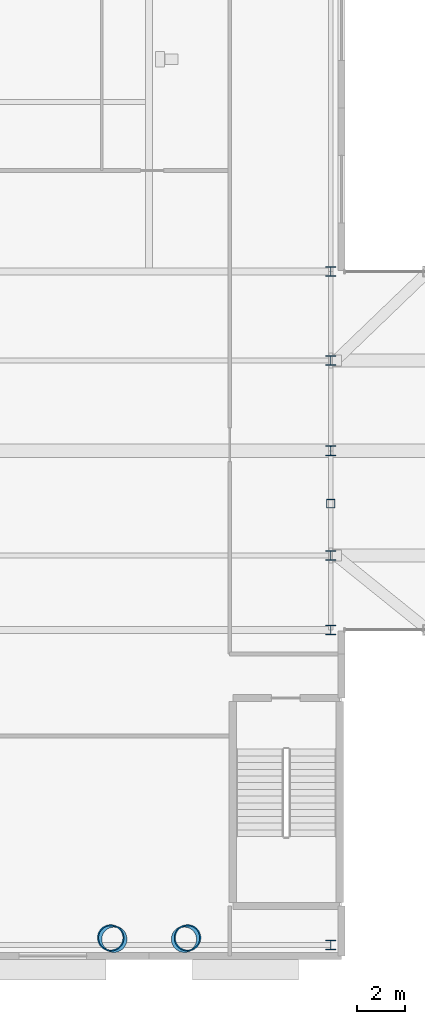
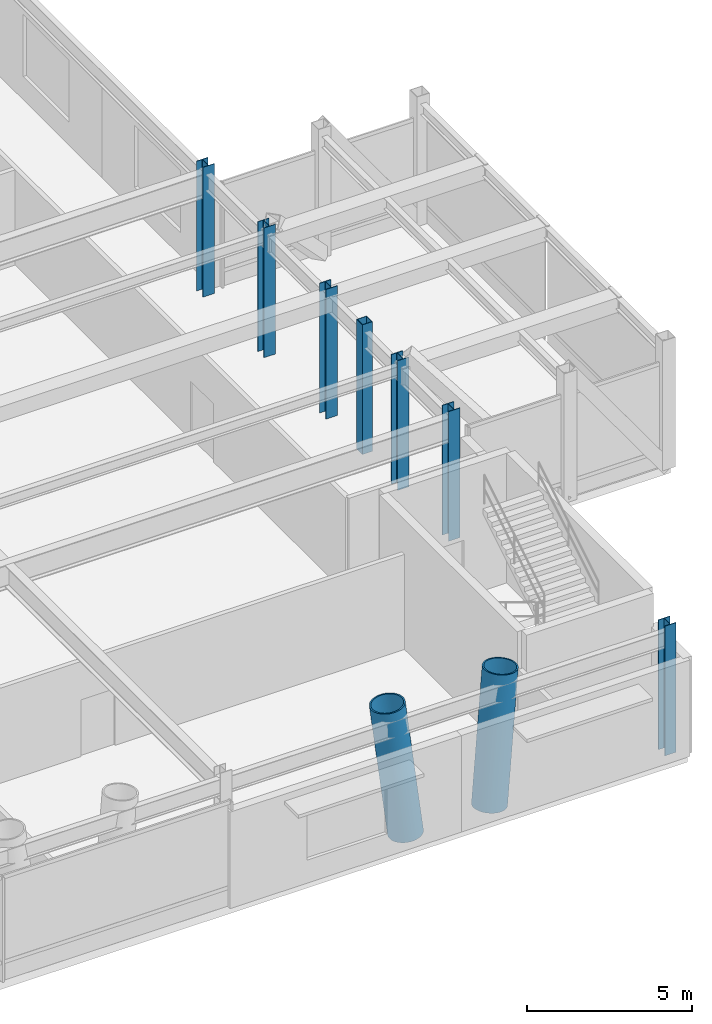
# One storey, part 2 of 26: 9 columns.
"""IFC4 building model written with IfcOpenShell, lengths in metres."""

from ifc_helpers import new_model, si_unit, direction, frame, origin, origin_2d, place, context, subcontext, project, spatial, hollow_rectangle, hollow_circle, i_section, extrude, material, material_profile, profile_set, type_object, element, save


model = new_model("IFC4")

# Units and contexts
model_context = context("Model", 3, precision=1e-05, world=origin(), true_north=direction((0.0, 1.0)))
body_context = subcontext(model_context, "Body", "Model", "MODEL_VIEW")
ifc_project = project(units=[si_unit("LENGTHUNIT", "METRE"), si_unit("AREAUNIT", "SQUARE_METRE"), si_unit("VOLUMEUNIT", "CUBIC_METRE"), si_unit("PLANEANGLEUNIT", "RADIAN"), si_unit("MASSUNIT", "GRAM", prefix="KILO")], contexts=[model_context])

# Site, building, storey
site_placement = place(None, origin())
site = spatial("IfcSite", under=ifc_project, at=site_placement, CompositionType="ELEMENT")
building_placement = place(site_placement, origin())
building = spatial("IfcBuilding", under=site, at=building_placement, Name="Veldorina Hangang Commons", CompositionType="ELEMENT")
storey_placement = place(building_placement, frame((0.0, 0.0, 5.199951171875)))
storey = spatial("IfcBuildingStorey", under=building, at=storey_placement, Name="L01", CompositionType="ELEMENT", Elevation=5.199951171875)

# Columns
ifc_material_1 = material(Name="Steel SM460-TMC", Category="steel")
ifc_material_profile_1 = material_profile(ifc_material_1, i_section(OverallWidth=0.39990234375, OverallDepth=0.39990234375, WebThickness=0.012939453125, FlangeThickness=0.02099609375, FilletRadius=0.01806640625, at=origin_2d()), Name="H-400x400x13x21")
ifc_profile_set_1 = profile_set([ifc_material_profile_1], Name="Steel SM460-TMC")
column_type_1 = type_object("IfcColumnType", Name="COL-H400", PredefinedType="COLUMN", material=ifc_profile_set_1)
for number, where, z_axis, x_axis, name in (
    (1, (59.550048828125, 3.449951171875, 0.0), (0.0, 0.0, 1.0), (1.0, 0.0, 0.0), "L01 structural column S7"),
    (2, (59.550048828125, 16.550048828125, 0.0), (0.0, 0.0, 1.0), (1.0, 0.0, 0.0), "L01 structural column E1"),
    (3, (59.550048828125, 19.64990234375, 0.0), (0.0, 0.0, 1.0), (1.0, 0.0, 0.0), "L01 structural column E2"),
    (4, (59.550048828125, 24.0, 0.0), (0.0, 0.0, 1.0), (1.0, 0.0, 0.0), "L01 structural column E3"),
    (5, (59.550048828125, 27.75, 0.0), (0.0, 0.0, 1.0), (1.0, 0.0, 0.0), "L01 structural column E4"),
    (6, (59.550048828125, 31.449951171875, 0.0), (0.0, 0.0, 1.0), (1.0, 0.0, 0.0), "L01 structural column E5"),
):
    element("IfcColumn", number, at=place(storey_placement, frame(where, z_axis=z_axis, x_axis=x_axis)), inside=storey, type_object=column_type_1, Name=name, PredefinedType="COLUMN", context=body_context, shape_type="SweptSolid", body=[
        extrude(i_section(OverallWidth=0.39990234375, OverallDepth=0.39990234375, WebThickness=0.012939453125, FlangeThickness=0.02099609375, FilletRadius=0.01806640625, at=origin_2d()), origin(), (0.0, 0.0, 1.0), 4.800048828125),
    ])
ifc_material_2 = material(Name="Steel SM355-TMC", Category="steel")
ifc_material_profile_2 = material_profile(ifc_material_2, hollow_rectangle(XDim=0.35009765625, YDim=0.35009765625, WallThickness=0.01611328125, at=origin_2d()), Name="SHS-350x350x16")
ifc_profile_set_2 = profile_set([ifc_material_profile_2], Name="Steel SM355-TMC")
column_type_2 = type_object("IfcColumnType", Name="COL-PIL-350", PredefinedType="PILASTER", material=ifc_profile_set_2)
column_placement = place(storey_placement, frame((59.550048828125, 21.800048828125, 0.0), z_axis=(0.0, 0.0, 1.0), x_axis=(1.0, 0.0, 0.0)))
element("IfcColumn", 7, at=column_placement, inside=storey, type_object=column_type_2, Name="L01 rationalist colonnade pilaster 4", PredefinedType="PILASTER", context=body_context, shape_type="SweptSolid", body=[
    extrude(hollow_rectangle(XDim=0.35009765625, YDim=0.35009765625, WallThickness=0.01611328125, at=origin_2d()), origin(), (0.0, 0.0, 1.0), 4.800048828125),
])
ifc_material_3 = material(Name="Steel SM490-TMC", Category="steel")
ifc_material_profile_3 = material_profile(ifc_material_3, hollow_circle(Radius=0.550048828125, WallThickness=0.050048828125, at=origin_2d()), Name="CHS-1100x50")
ifc_profile_set_3 = profile_set([ifc_material_profile_3], Name="Steel SM490-TMC")
column_type_3 = type_object("IfcColumnType", Name="COL-VC1100", PredefinedType="COLUMN", material=ifc_profile_set_3)
for number, where, z_axis, x_axis, name in (
    (8, (50.5302734375, 3.695068359375, 0.0), (-0.105040667994, 0.046836315166, 0.993364393186), (-0.407238706506, -0.913321759252, 0.0), "L01 sculptural V-column VC-4 leg L"),
    (9, (53.4697265625, 3.695068359375, 0.0), (0.105040667994, 0.046836315166, 0.993364393186), (-0.407238706506, 0.913321759252, 0.0), "L01 sculptural V-column VC-4 leg R"),
):
    element("IfcColumn", number, at=place(storey_placement, frame(where, z_axis=z_axis, x_axis=x_axis)), inside=storey, type_object=column_type_3, Name=name, PredefinedType="COLUMN", context=body_context, shape_type="SweptSolid", body=[
        extrude(hollow_circle(Radius=0.550048828125, WallThickness=0.050048828125, at=origin_2d()), origin(), (0.0, 0.0, 1.0), 4.83203125),
    ])

save(model, "model.ifc")
